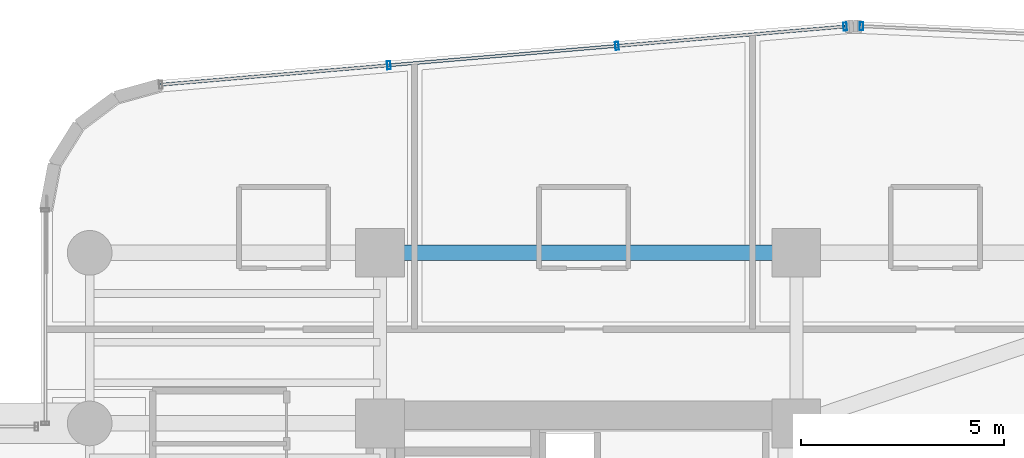
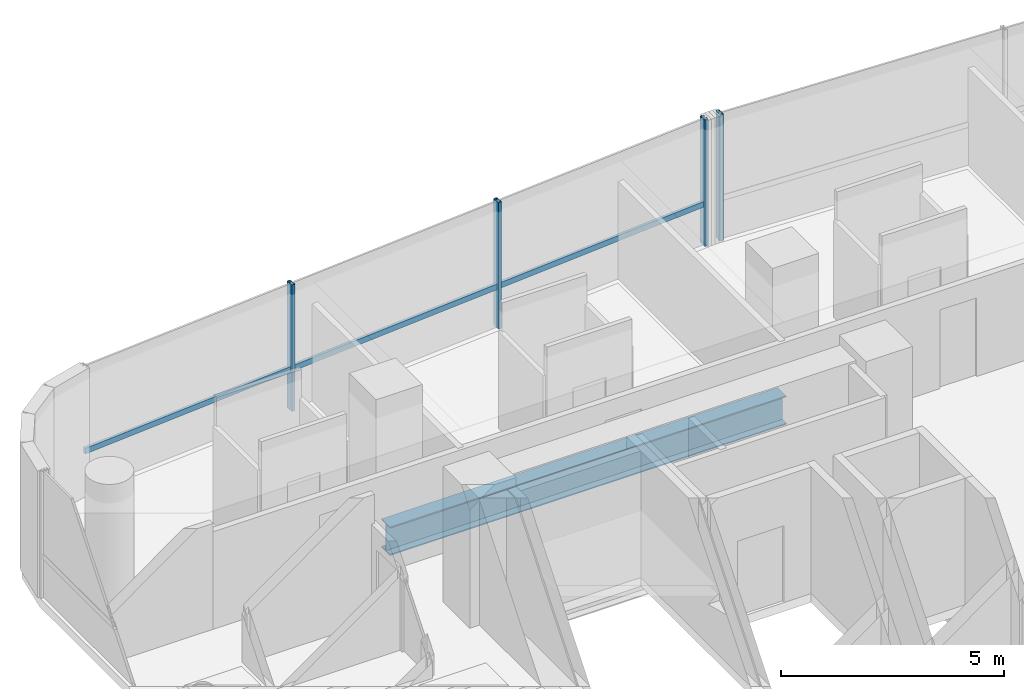
# One storey, part 19 of 35: 5 members, 1 beam, 2 elements without a shape of their own.
"""IFC4 building model written with IfcOpenShell, lengths in metres."""

from ifc_helpers import new_model, si_unit, direction, frame, origin, origin_2d, place, context, subcontext, project, spatial, hollow_rectangle, i_section, extrude, source, transform, mapped, material, material_profile, profile_set, type_object, element, aggregate, save


model = new_model("IFC4")

# Units and contexts
model_context = context("Model", 3, precision=1e-05, world=origin(), true_north=direction((0.0, 1.0)))
body_context = subcontext(model_context, "Body", "Model", "MODEL_VIEW")
ifc_project = project(units=[si_unit("LENGTHUNIT", "METRE"), si_unit("AREAUNIT", "SQUARE_METRE"), si_unit("VOLUMEUNIT", "CUBIC_METRE"), si_unit("PLANEANGLEUNIT", "RADIAN"), si_unit("MASSUNIT", "GRAM", prefix="KILO")], contexts=[model_context])

# Site, building, storey
site_placement = place(None, origin())
site = spatial("IfcSite", under=ifc_project, at=site_placement, CompositionType="ELEMENT")
building_placement = place(site_placement, origin())
building = spatial("IfcBuilding", under=site, at=building_placement, Name="Valdorenza Pilgrim Sanctuary Tower", CompositionType="ELEMENT")
storey_placement = place(building_placement, frame((0.0, 0.0, 113.10009765625)))
storey = spatial("IfcBuildingStorey", under=building, at=storey_placement, Name="L28", CompositionType="ELEMENT", Elevation=113.10009765625)

# Beam
ifc_material_1 = material(Name="Steel ASTM A992 Grade 50", Category="steel")
ifc_material_profile_1 = material_profile(ifc_material_1, i_section(OverallWidth=0.382080078125, OverallDepth=0.779052734375, WebThickness=0.01806640625, FlangeThickness=0.030029296875, at=origin_2d()), Name="W30X191")
ifc_profile_set_1 = profile_set([ifc_material_profile_1], Name="Steel ASTM A992 Grade 50")
beam_type = type_object("IfcBeamType", Name="STR-BM-GRD-W30", PredefinedType="BEAM", material=ifc_profile_set_1)
shared_shape_1 = source(origin(), body_context, "Body", "SweptSolid", [
    extrude(i_section(OverallWidth=0.382080078125, OverallDepth=0.779052734375, WebThickness=0.01806640625, FlangeThickness=0.030029296875, at=origin_2d()), origin(), (0.0, 0.0, 1.0), 10.25),
])
beam_placement = place(storey_placement, frame((-22.64990234375, 14.800048828125, -0.629638671875), z_axis=(1.0, 0.0, 0.0), x_axis=(0.0, 1.0, 0.0)))
element("IfcBeam", 1, at=beam_placement, inside=storey, type_object=beam_type, Name="L28 Floor Girder CA-XC-N2", PredefinedType="BEAM", context=body_context, shape_type="MappedRepresentation", body=[
    mapped(shared_shape_1, transform((0.0, 0.0, 0.0), x_axis=(1.0, 0.0, 0.0), y_axis=(0.0, 1.0, 0.0), z_axis=(0.0, 0.0, 1.0), scale=1.0)),
])

# Curtain wall, members
ifc_material_2 = material(Name="Curtain-wall IGU glazing", Category="glass")
curtain_wall_type = type_object("IfcCurtainWallType", Name="CW-SYS-02", PredefinedType="NOTDEFINED", material=ifc_material_2)
curtain_wall_1_placement = place(storey_placement, origin())
curtain_wall_1 = element("IfcCurtainWall", 2, at=curtain_wall_1_placement, inside=storey, type_object=curtain_wall_type, Name="L28 Curtain Wall CW-L28-1-6", PredefinedType="NOTDEFINED")
ifc_material_3 = material(Name="Anodised aluminium AW-6060", Category="aluminium")
ifc_material_profile_2 = material_profile(ifc_material_3, hollow_rectangle(XDim=0.0849609375, YDim=0.199951171875, WallThickness=0.0048828125, at=origin_2d()), Name="ALU-M 200x85x5")
ifc_profile_set_2 = profile_set([ifc_material_profile_2], Name="Anodised aluminium AW-6060")
member_type_1 = type_object("IfcMemberType", Name="CW-MUL-02", PredefinedType="MULLION", material=ifc_profile_set_2)
shared_shape_2 = source(origin(), body_context, "Body", "SweptSolid", [
    extrude(hollow_rectangle(XDim=0.0849609375, YDim=0.199951171875, WallThickness=0.0048828125, at=origin_2d()), origin(), (0.0, 0.0, 1.0), 3.4599609375),
])
member_1_placement = place(storey_placement, frame((-22.43408203125, 19.417724609375, 0.0), z_axis=(0.0, 0.0, 1.0), x_axis=(0.99640764237, 0.084686541006, 0.0)))
member_1 = element("IfcMember", 3, at=member_1_placement, type_object=member_type_1, Name="CW-L28-1-6 Mullion 2", PredefinedType="MULLION", context=body_context, shape_type="MappedRepresentation", body=[
    mapped(shared_shape_2, transform((0.0, 0.0, 0.0), x_axis=(1.0, 0.0, 0.0), y_axis=(0.0, 1.0, 0.0), z_axis=(0.0, 0.0, 1.0), scale=1.0)),
])
member_2_placement = place(storey_placement, frame((-16.81689453125, 19.895263671875, 0.0), z_axis=(0.0, 0.0, 1.0), x_axis=(0.99640764237, 0.084686541006, 0.0)))
member_2 = element("IfcMember", 4, at=member_2_placement, type_object=member_type_1, Name="CW-L28-1-6 Mullion 3", PredefinedType="MULLION", context=body_context, shape_type="MappedRepresentation", body=[
    mapped(shared_shape_2, transform((0.0, 0.0, 0.0), x_axis=(1.0, 0.0, 0.0), y_axis=(0.0, 1.0, 0.0), z_axis=(0.0, 0.0, 1.0), scale=1.0)),
])
member_3_placement = place(storey_placement, frame((-11.199462890625, 20.37255859375, 0.0), z_axis=(0.0, 0.0, 1.0), x_axis=(0.99640764237, 0.084686541006, 0.0)))
member_3 = element("IfcMember", 5, at=member_3_placement, type_object=member_type_1, Name="CW-L28-1-6 Mullion 4", PredefinedType="MULLION", context=body_context, shape_type="MappedRepresentation", body=[
    mapped(shared_shape_2, transform((0.0, 0.0, 0.0), x_axis=(1.0, 0.0, 0.0), y_axis=(0.0, 1.0, 0.0), z_axis=(0.0, 0.0, 1.0), scale=1.0)),
])

# Curtain wall, member
curtain_wall_2_placement = place(storey_placement, origin())
curtain_wall_2 = element("IfcCurtainWall", 6, at=curtain_wall_2_placement, inside=storey, type_object=curtain_wall_type, Name="L28 Curtain Wall CW-L28-1-11", PredefinedType="NOTDEFINED")
member_4_placement = place(storey_placement, frame((-10.795654296875, 20.380615234375, 0.0), z_axis=(0.0, 0.0, 1.0), x_axis=(0.998968193221, -0.045415294044, 0.0)))
member_4 = element("IfcMember", 7, at=member_4_placement, type_object=member_type_1, Name="CW-L28-1-11 Mullion 1", PredefinedType="MULLION", context=body_context, shape_type="MappedRepresentation", body=[
    mapped(shared_shape_2, transform((0.0, 0.0, 0.0), x_axis=(1.0, 0.0, 0.0), y_axis=(0.0, 1.0, 0.0), z_axis=(0.0, 0.0, 1.0), scale=1.0)),
])
aggregate(curtain_wall_2, [member_4])

# Member
ifc_material_profile_3 = material_profile(ifc_material_3, hollow_rectangle(XDim=0.074951171875, YDim=0.14990234375, WallThickness=0.00390625, at=origin_2d()), Name="ALU-T 150x75x4")
ifc_profile_set_3 = profile_set([ifc_material_profile_3], Name="Anodised aluminium AW-6060")
member_type_2 = type_object("IfcMemberType", Name="CW-TRN-02", PredefinedType="USERDEFINED", material=ifc_profile_set_3)
shared_shape_3 = source(origin(), body_context, "Body", "SweptSolid", [
    extrude(hollow_rectangle(XDim=0.074951171875, YDim=0.14990234375, WallThickness=0.00390625, at=origin_2d()), origin(), (0.0, 0.0, 1.0), 16.912841796875),
])
member_5_placement = place(storey_placement, frame((-28.051513671875, 18.940185546875, 1.119873046875), z_axis=(0.996407213932, 0.084691581783, 0.0), x_axis=(-0.084691581783, 0.996407213932, 0.0)))
member_5 = element("IfcMember", 8, at=member_5_placement, type_object=member_type_2, Name="CW-L28-1-6 Transom 1", ObjectType="TRANSOM", PredefinedType="USERDEFINED", context=body_context, shape_type="MappedRepresentation", body=[
    mapped(shared_shape_3, transform((0.0, 0.0, 0.0), x_axis=(1.0, 0.0, 0.0), y_axis=(0.0, 1.0, 0.0), z_axis=(0.0, 0.0, 1.0), scale=1.0)),
])

aggregate(curtain_wall_1, [member_1, member_2, member_3, member_5])

save(model, "model.ifc")
